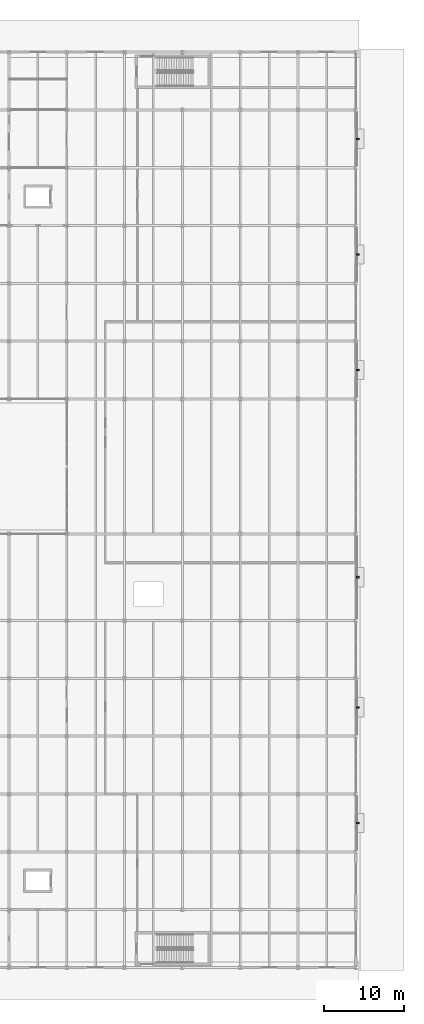
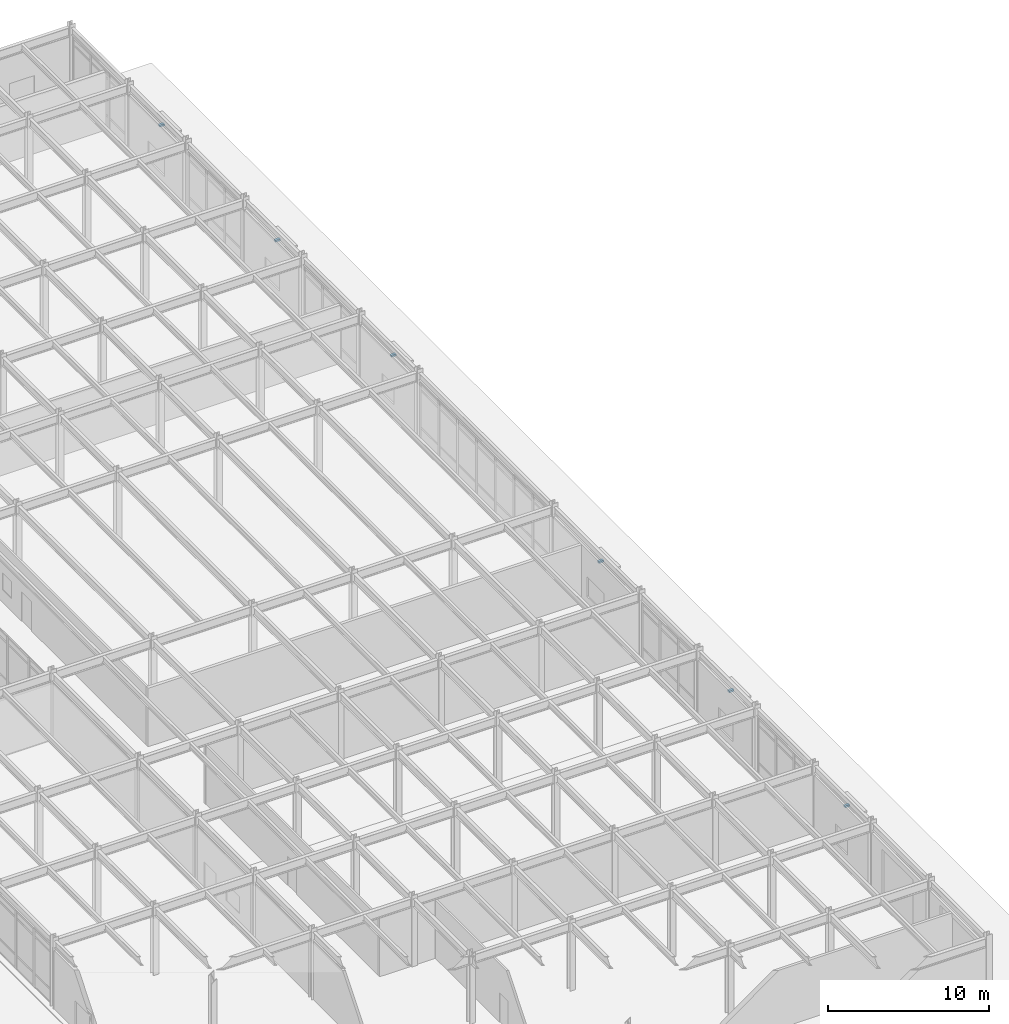
# One storey, part 83 of 104: 6 discrete accessories.
"""IFC4 building model written with IfcOpenShell, lengths in metres."""

from ifc_helpers import new_model, si_unit, direction, frame, origin, origin_2d, place, context, subcontext, project, spatial, rectangle, extrude, material, type_object, element, save


model = new_model("IFC4")

# Units and contexts
model_context = context("Model", 3, precision=1e-05, world=origin(), true_north=direction((0.0, 1.0)))
body_context = subcontext(model_context, "Body", "Model", "MODEL_VIEW")
ifc_project = project(units=[si_unit("LENGTHUNIT", "METRE"), si_unit("AREAUNIT", "SQUARE_METRE"), si_unit("VOLUMEUNIT", "CUBIC_METRE"), si_unit("PLANEANGLEUNIT", "RADIAN"), si_unit("MASSUNIT", "GRAM", prefix="KILO")], contexts=[model_context])

# Site, building, storey
site_placement = place(None, origin())
site = spatial("IfcSite", under=ifc_project, at=site_placement, CompositionType="ELEMENT")
building_placement = place(site_placement, origin())
building = spatial("IfcBuilding", under=site, at=building_placement, Name="Vaelcorin Mobility Hub", CompositionType="ELEMENT")
storey_placement = place(building_placement, origin())
storey = spatial("IfcBuildingStorey", under=building, at=storey_placement, Name="L00", CompositionType="ELEMENT", Elevation=0.0)

# Discrete accessories
ifc_material = material(Name="Galvanised structural steel ASTM A36", Category="steel")
discrete_accessory_type = type_object("IfcDiscreteAccessoryType", Name="ACC-BRK-FIN", PredefinedType="BRACKET", material=ifc_material)
for number, where, z_axis, x_axis, name in (
    (1, (204.25, 24.0, 4.02197265625), (0.0, 0.0, 1.0), (1.0, 0.0, 0.0), "Sun-Hood Bracket L00-03"),
    (2, (204.25, 38.39990234375, 4.02197265625), (0.0, 0.0, 1.0), (1.0, 0.0, 0.0), "Sun-Hood Bracket L00-05"),
    (3, (204.25, 54.60009765625, 4.02197265625), (0.0, 0.0, 1.0), (1.0, 0.0, 0.0), "Sun-Hood Bracket L00-07"),
    (4, (204.25, 80.39990234375, 4.02197265625), (0.0, 0.0, 1.0), (1.0, 0.0, 0.0), "Sun-Hood Bracket L00-09"),
    (5, (204.25, 94.800048828125, 4.02197265625), (0.0, 0.0, 1.0), (1.0, 0.0, 0.0), "Sun-Hood Bracket L00-11"),
    (6, (204.25, 109.199951171875, 4.02197265625), (0.0, 0.0, 1.0), (1.0, 0.0, 0.0), "Sun-Hood Bracket L00-13"),
):
    element("IfcDiscreteAccessory", number, at=place(storey_placement, frame(where, z_axis=z_axis, x_axis=x_axis)), inside=storey, type_object=discrete_accessory_type, Name=name, PredefinedType="BRACKET", context=body_context, shape_type="SweptSolid", body=[
        extrude(rectangle(XDim=0.35009765625, YDim=0.199951171875, at=origin_2d()), origin(), (0.0, 0.0, 1.0), 0.139892578125),
    ])

save(model, "model.ifc")
